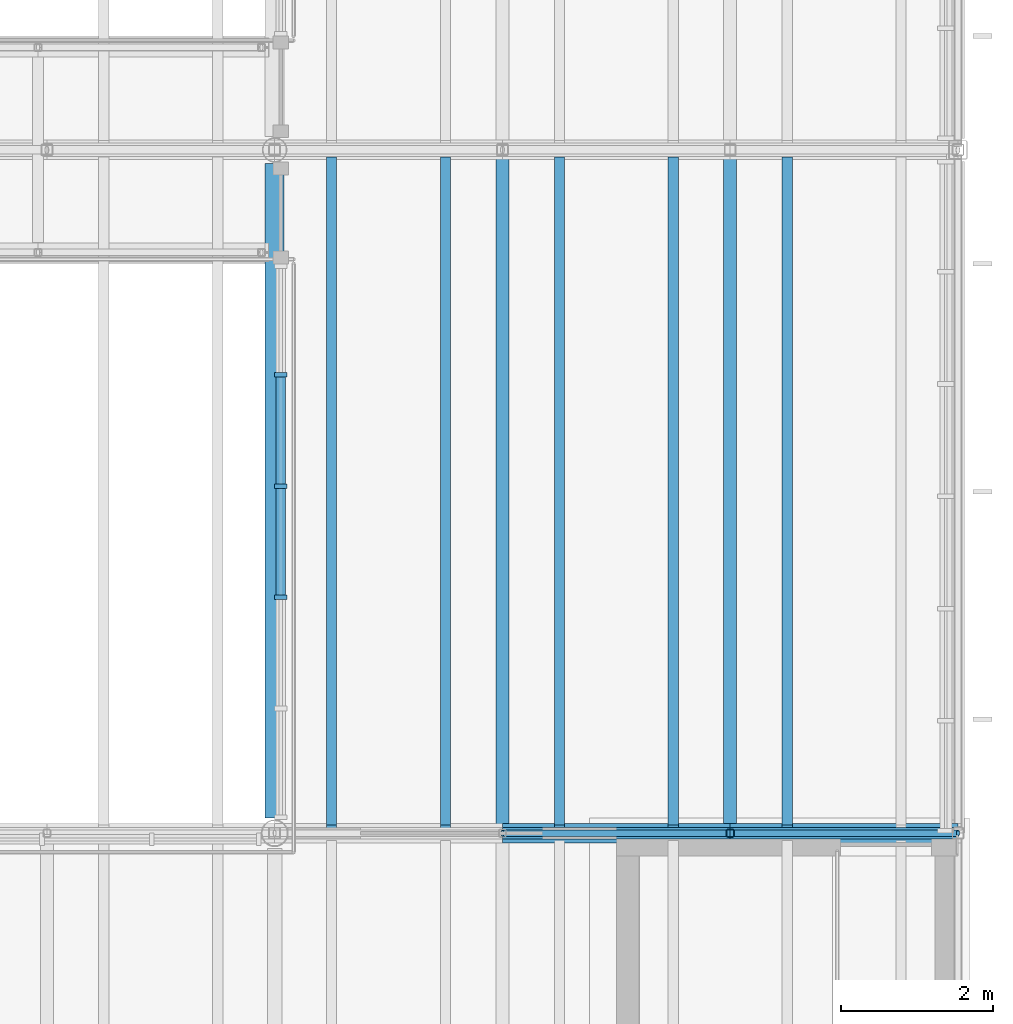
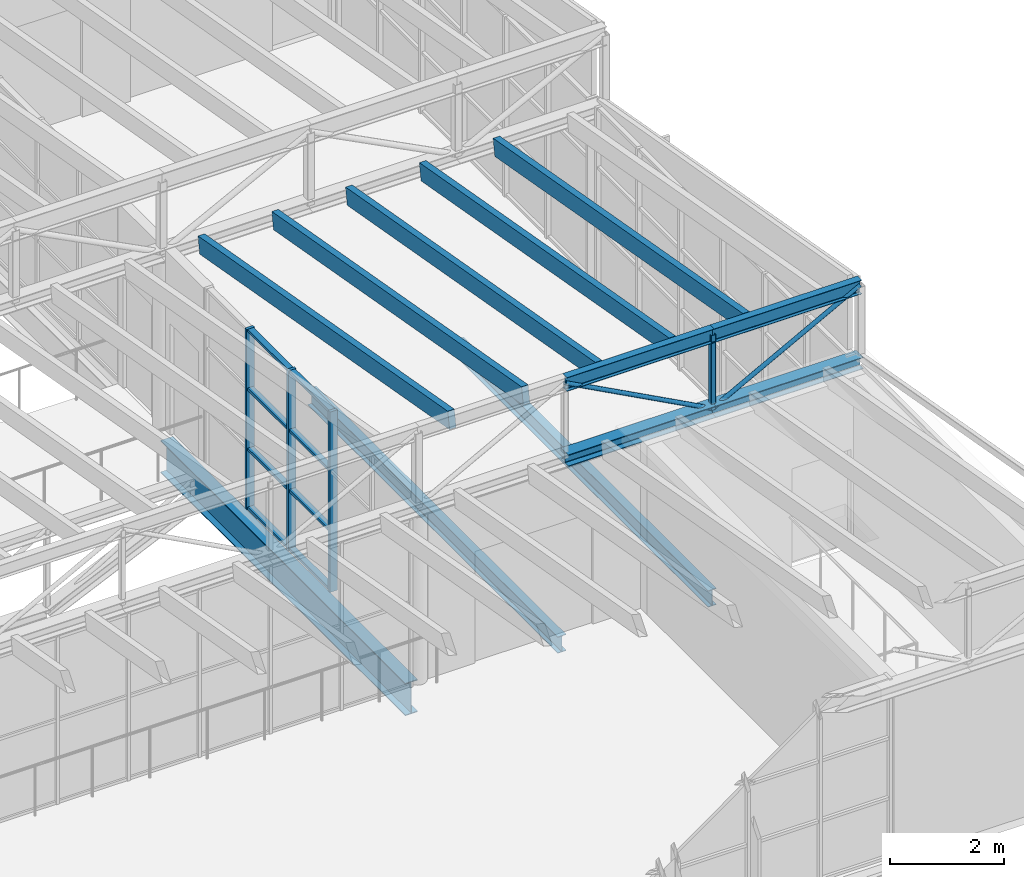
# One storey, part 20 of 44: 23 members, 3 beams, 1 element without a shape of its own.
"""IFC4 building model written with IfcOpenShell, lengths in metres."""

import ifcopenshell
import ifcopenshell.guid

model = None  # the IFC model being written
_history = None  # IfcOwnerHistory: only IFC2X3 demands one
_inside = {}  # id of a spatial element -> (the spatial element, [elements in it])
_under = {}  # id of a project, library or spatial element -> (it, [spatial elements below it])
_declared = {}  # id of a project -> (the project, [libraries it declares])
_typed = {}  # id of a type object -> (the type object, [elements of that type])
_made_of = {}  # id of a material, layer set ... -> (it, [elements and type objects made of it])


def new_model(schema):
    """Start an empty IFC model of exactly this schema.

    Asked for "IFC4X3", IfcOpenShell would pick the latest addendum, in which some entities
    have other attributes; the version numbers below select the first issue.
    IFC2X3 requires an IfcOwnerHistory on every rooted entity: one is made here for all.
    """
    global model, _history
    if schema == "IFC4X3":
        model = ifcopenshell.file(schema_version=(4, 3, 0, 0))
    else:
        model = ifcopenshell.file(schema=schema)
    _inside.clear()
    _under.clear()
    _declared.clear()
    _typed.clear()
    _made_of.clear()
    _history = None
    if model.schema == "IFC2X3":
        org = make("IfcOrganization", Name="unknown")
        user = make(
            "IfcPersonAndOrganization",
            ThePerson=make("IfcPerson", FamilyName="unknown"),
            TheOrganization=org,
        )
        app = make(
            "IfcApplication",
            ApplicationDeveloper=org,
            Version="unknown",
            ApplicationFullName="unknown",
            ApplicationIdentifier="unknown",
        )
        _history = make(
            "IfcOwnerHistory",
            OwningUser=user,
            OwningApplication=app,
            ChangeAction="ADDED",
            CreationDate=0,
        )
    return model


def make(cls, **values):
    """One entity of the class cls with the attributes given. An attribute that is None is left unset."""
    return model.create_entity(
        cls, **{name: value for name, value in values.items() if value is not None}
    )


def rooted(cls, **values):
    """An entity with a GlobalId (a new one), such as an element, a storey or a relation."""
    return make(cls, GlobalId=ifcopenshell.guid.new(), OwnerHistory=_history, **values)


def si_unit(unit_type, name, prefix=None):
    """IfcSIUnit, for example si_unit("LENGTHUNIT", "METRE", prefix="MILLI")."""
    return make("IfcSIUnit", UnitType=unit_type, Prefix=prefix, Name=name)


def assignment(units):
    """IfcUnitAssignment: the units of a project."""
    return None if units is None else make("IfcUnitAssignment", Units=units)


def point(xyz):
    """IfcCartesianPoint."""
    return None if xyz is None else make("IfcCartesianPoint", Coordinates=xyz)


def direction(xyz):
    """IfcDirection."""
    return None if xyz is None else make("IfcDirection", DirectionRatios=xyz)


def frame(location, z_axis=None, x_axis=None):
    """IfcAxis2Placement3D, a coordinate frame: its origin and axes. An axis left out is left unset."""
    return make(
        "IfcAxis2Placement3D",
        Location=point(location),
        Axis=direction(z_axis),
        RefDirection=direction(x_axis),
    )


def frame_2d(location, x_axis=None):
    """IfcAxis2Placement2D, a coordinate frame in the plane: its origin and x axis."""
    return make(
        "IfcAxis2Placement2D", Location=point(location), RefDirection=direction(x_axis)
    )


def origin():
    """The frame at (0, 0, 0) with its axes left unset."""
    return frame((0.0, 0.0, 0.0))


def origin_2d():
    """The frame at (0, 0) in the plane with its x axis left unset."""
    return frame_2d((0.0, 0.0))


def place(relative_to, where):
    """IfcLocalPlacement: puts the frame where relative to a parent placement (None: the world)."""
    return make(
        "IfcLocalPlacement", PlacementRelTo=relative_to, RelativePlacement=where
    )


def context(
    kind, dimensions, precision=None, world=None, true_north=None, identifier=None
):
    """IfcGeometricRepresentationContext, for example the 3D "Model" context."""
    return make(
        "IfcGeometricRepresentationContext",
        ContextIdentifier=identifier,
        ContextType=kind,
        CoordinateSpaceDimension=dimensions,
        Precision=precision,
        WorldCoordinateSystem=world,
        TrueNorth=true_north,
    )


def subcontext(parent, identifier, kind, view, scale=None):
    """IfcGeometricRepresentationSubContext, for example "Body" below "Model"."""
    return make(
        "IfcGeometricRepresentationSubContext",
        ContextIdentifier=identifier,
        ContextType=kind,
        ParentContext=parent,
        TargetScale=scale,
        TargetView=view,
    )


def project(units=None, contexts=None):
    """IfcProject with its units and contexts."""
    return rooted(
        "IfcProject",
        Name="project",
        RepresentationContexts=contexts,
        UnitsInContext=assignment(units),
    )


def spatial(cls, under=None, at=None, **own):
    """A site, building, storey or space (cls), placed at a placement, below another one or the project."""
    s = rooted(cls, ObjectPlacement=at, **own)
    if under is not None:
        _under.setdefault(under.id(), (under, []))[1].append(s)
    return s


def profile(cls, at=None, kind="AREA", **sizes):
    """A parametric profile (cls). Its sizes go by their IFC names, for example OverallWidth=200.0."""
    return make(cls, ProfileType=kind, Position=at, **sizes)


def rectangle(**sizes):
    """IfcRectangleProfileDef."""
    return profile("IfcRectangleProfileDef", **sizes)


def hollow_rectangle(**sizes):
    """IfcRectangleHollowProfileDef."""
    return profile("IfcRectangleHollowProfileDef", **sizes)


def hollow_circle(**sizes):
    """IfcCircleHollowProfileDef."""
    return profile("IfcCircleHollowProfileDef", **sizes)


def i_section(**sizes):
    """IfcIShapeProfileDef."""
    return profile("IfcIShapeProfileDef", **sizes)


def extrude(swept, where, along, depth):
    """IfcExtrudedAreaSolid: the profile swept, set in the frame where, extruded along a direction by depth."""
    return make(
        "IfcExtrudedAreaSolid",
        SweptArea=swept,
        Position=where,
        ExtrudedDirection=direction(along),
        Depth=depth,
    )


def shape(context_of_items, identifier, shape_type, items):
    """IfcShapeRepresentation: the items that make up one representation, for example the "Body"."""
    return make(
        "IfcShapeRepresentation",
        ContextOfItems=context_of_items,
        RepresentationIdentifier=identifier,
        RepresentationType=shape_type,
        Items=items,
    )


def material(Name=None, Category=None):
    """IfcMaterial."""
    return make("IfcMaterial", Name=Name, Category=Category)


def layer(
    of_material, thickness, ventilated=None, Name=None, Category=None, Priority=None
):
    """IfcMaterialLayer: one layer of a wall or slab, of a material (None: an air gap)."""
    return make(
        "IfcMaterialLayer",
        Material=of_material,
        LayerThickness=thickness,
        IsVentilated=ventilated,
        Name=Name,
        Category=Category,
        Priority=Priority,
    )


def layer_set(layers, Name=None):
    """IfcMaterialLayerSet."""
    return make("IfcMaterialLayerSet", MaterialLayers=layers, LayerSetName=Name)


def material_profile(
    of_material, cross_section, Name=None, Category=None, Priority=None
):
    """IfcMaterialProfile: a cross section and its material."""
    return make(
        "IfcMaterialProfile",
        Name=Name,
        Material=of_material,
        Profile=cross_section,
        Priority=Priority,
        Category=Category,
    )


def profile_set(profiles, Name=None, composite=None):
    """IfcMaterialProfileSet."""
    return make(
        "IfcMaterialProfileSet",
        Name=Name,
        MaterialProfiles=profiles,
        CompositeProfile=composite,
    )


def made_of(thing, what):
    """Note that an element or type object is made of a material, layer set ...; save() writes the relation."""
    if what is not None:
        _made_of.setdefault(what.id(), (what, []))[1].append(thing)
    return thing


def type_object(cls, material=None, **own):
    """A type object (cls), such as IfcWallType, which elements share."""
    return made_of(rooted(cls, **own), material)


def element(
    cls,
    number,
    at=None,
    inside=None,
    cuts=None,
    type_object=None,
    material=None,
    context=None,
    identifier="Body",
    shape_type=None,
    held_by="IfcProductDefinitionShape",
    body=None,
    shapes=None,
    **own,
):
    """One element of the class cls, such as IfcWall. Its Tag is "e" and its number.

    at: its placement. inside: the storey or other place that contains it. cuts: it is an
    opening in that element (IfcRelVoidsElement). A single representation is given by context,
    identifier, shape_type and body (its items); several are given by shapes. held_by: the class
    of the entity that holds the representations. save() writes the other relations.
    """
    e = rooted(cls, Tag="e%d" % number, ObjectPlacement=at, **own)
    if body is not None:
        shapes = [shape(context, identifier, shape_type, body)]
    if shapes is not None:
        e.Representation = make(held_by, Representations=shapes)
    if inside is not None:
        _inside.setdefault(inside.id(), (inside, []))[1].append(e)
    if cuts is not None:
        rooted(
            "IfcRelVoidsElement", RelatingBuildingElement=cuts, RelatedOpeningElement=e
        )
    if type_object is not None:
        _typed.setdefault(type_object.id(), (type_object, []))[1].append(e)
    return made_of(e, material)


def aggregate(whole, parts):
    """IfcRelAggregates: a whole, such as a stair, and the parts it consists of."""
    return rooted("IfcRelAggregates", RelatingObject=whole, RelatedObjects=parts)


def save(model, path):
    """Write the relations noted so far, then the file.

    IfcRelAggregates (storeys below a building ...), IfcRelContainedInSpatialStructure (elements
    in a storey), IfcRelDefinesByType, IfcRelAssociatesMaterial and IfcRelDeclares: one each for
    every whole, place, type object, material and project.
    """
    for whole, parts in _under.values():
        aggregate(whole, parts)
    for where, things in _inside.values():
        rooted(
            "IfcRelContainedInSpatialStructure",
            RelatedElements=things,
            RelatingStructure=where,
        )
    for kind, things in _typed.values():
        rooted("IfcRelDefinesByType", RelatedObjects=things, RelatingType=kind)
    for what, things in _made_of.values():
        rooted("IfcRelAssociatesMaterial", RelatedObjects=things, RelatingMaterial=what)
    for by, libraries in _declared.values():
        rooted("IfcRelDeclares", RelatingContext=by, RelatedDefinitions=libraries)
    model.write(path)


model = new_model("IFC4")

# Units and contexts
model_context = context("Model", 3, precision=1e-05, world=origin(), true_north=direction((0.0, 1.0)))
body_context = subcontext(model_context, "Body", "Model", "MODEL_VIEW")
ifc_project = project(units=[si_unit("LENGTHUNIT", "METRE"), si_unit("AREAUNIT", "SQUARE_METRE"), si_unit("VOLUMEUNIT", "CUBIC_METRE"), si_unit("PLANEANGLEUNIT", "RADIAN"), si_unit("MASSUNIT", "GRAM", prefix="KILO")], contexts=[model_context])

# Site, building, storey
site_placement = place(None, origin())
site = spatial("IfcSite", under=ifc_project, at=site_placement, CompositionType="ELEMENT")
building_placement = place(site_placement, origin())
building = spatial("IfcBuilding", under=site, at=building_placement, Name="Halyard Row Museum", CompositionType="ELEMENT")
storey_placement = place(building_placement, frame((0.0, 0.0, 21.199951171875)))
storey = spatial("IfcBuildingStorey", under=building, at=storey_placement, Name="L04", CompositionType="ELEMENT", Elevation=21.199951171875)

# Beam
ifc_material_1 = material(Name="Steel Grade 300", Category="steel")
ifc_material_profile_1 = material_profile(ifc_material_1, i_section(OverallWidth=0.25, OverallDepth=0.699951171875, WebThickness=0.010009765625, FlangeThickness=0.02001953125, at=origin_2d()), Name="700WB130")
ifc_profile_set_1 = profile_set([ifc_material_profile_1], Name="Steel Grade 300")
beam_type_1 = type_object("IfcBeamType", Name="Bearing beam 700WB130", PredefinedType="BEAM", material=ifc_profile_set_1)
beam_1_placement = place(storey_placement, frame((99.0, 9.203125, -0.514892578125), z_axis=(0.0, 1.0, 0.0), x_axis=(-1.0, 0.0, 0.0)))
element("IfcBeam", 1, at=beam_1_placement, inside=storey, type_object=beam_type_1, Name="Beam L04-028", PredefinedType="BEAM", context=body_context, shape_type="SweptSolid", body=[
    extrude(i_section(OverallWidth=0.25, OverallDepth=0.699951171875, WebThickness=0.010009765625, FlangeThickness=0.02001953125, at=origin_2d()), origin(), (0.0, 0.0, 1.0), 8.619140625),
])

# Curtain wall, members
ifc_material_2 = material(Name="Fire-resisting laminated glazing", Category="glass")
ifc_layer = layer(ifc_material_2, 0.159912109375)
ifc_layer_set = layer_set([ifc_layer], Name="Fire-resisting laminated glazing")
curtain_wall_type = type_object("IfcCurtainWallType", Name="Curtain wall atrium screen 160 deep", PredefinedType="NOTDEFINED", material=ifc_layer_set)
curtain_wall_placement = place(storey_placement, origin())
curtain_wall = element("IfcCurtainWall", 2, at=curtain_wall_placement, inside=storey, type_object=curtain_wall_type, Name="Curtain wall CW104", PredefinedType="NOTDEFINED")
ifc_material_3 = material(Name="Powder-coated aluminium section", Category="aluminium")
ifc_material_profile_2 = material_profile(ifc_material_3, rectangle(XDim=0.159912109375, YDim=0.06005859375, at=origin_2d()), Name="160x60 mullion")
ifc_profile_set_2 = profile_set([ifc_material_profile_2], Name="Powder-coated aluminium section")
member_type_1 = type_object("IfcMemberType", Name="Curtain wall mullion CM5 60 x 160", PredefinedType="MULLION", material=ifc_profile_set_2)
member_1_placement = place(storey_placement, frame((99.080078125, 12.106689453125, 0.0), z_axis=(0.0, 0.0, 1.0), x_axis=(-1.0, 0.0, 0.0)))
member_1 = element("IfcMember", 3, at=member_1_placement, type_object=member_type_1, Name="CW104 mullion 3", PredefinedType="MULLION", context=body_context, shape_type="SweptSolid", body=[
    extrude(rectangle(XDim=0.159912109375, YDim=0.06005859375, at=origin_2d()), origin(), (0.0, 0.0, 1.0), 3.878173828125),
])
member_2_placement = place(storey_placement, frame((99.080078125, 13.571044921875, 0.0), z_axis=(0.0, 0.0, 1.0), x_axis=(-1.0, 0.0, 0.0)))
member_2 = element("IfcMember", 4, at=member_2_placement, type_object=member_type_1, Name="CW104 mullion 4", PredefinedType="MULLION", context=body_context, shape_type="SweptSolid", body=[
    extrude(rectangle(XDim=0.159912109375, YDim=0.06005859375, at=origin_2d()), origin(), (0.0, 0.0, 1.0), 3.878173828125),
])
member_3_placement = place(storey_placement, frame((99.080078125, 15.03564453125, 0.0), z_axis=(0.0, 0.0, 1.0), x_axis=(-1.0, 0.0, 0.0)))
member_3 = element("IfcMember", 5, at=member_3_placement, type_object=member_type_1, Name="CW104 mullion 5", PredefinedType="MULLION", context=body_context, shape_type="SweptSolid", body=[
    extrude(rectangle(XDim=0.159912109375, YDim=0.06005859375, at=origin_2d()), origin(), (0.0, 0.0, 1.0), 3.878173828125),
])
ifc_material_4 = material(Name="Powder-coated aluminium section", Category="aluminium")
ifc_material_profile_3 = material_profile(ifc_material_4, rectangle(XDim=0.1201171875, YDim=0.06005859375, at=origin_2d()), Name="120x60 transom")
ifc_profile_set_3 = profile_set([ifc_material_profile_3], Name="Powder-coated aluminium section")
member_type_2 = type_object("IfcMemberType", Name="Curtain wall transom CT5 60 x 120", PredefinedType="USERDEFINED", material=ifc_profile_set_3)
member_4_placement = place(storey_placement, frame((99.080078125, 12.13671875, 0.030029296875), z_axis=(0.0, 1.0, 0.0), x_axis=(-1.0, 0.0, 0.0)))
member_4 = element("IfcMember", 6, at=member_4_placement, type_object=member_type_2, Name="CW104 transom 3.1", ObjectType="TRANSOM", PredefinedType="USERDEFINED", context=body_context, shape_type="SweptSolid", body=[
    extrude(rectangle(XDim=0.1201171875, YDim=0.06005859375, at=origin_2d()), origin(), (0.0, 0.0, 1.0), 1.404296875),
])
member_5_placement = place(storey_placement, frame((99.080078125, 12.13671875, 1.292724609375), z_axis=(0.0, 1.0, 0.0), x_axis=(-1.0, 0.0, 0.0)))
member_5 = element("IfcMember", 7, at=member_5_placement, type_object=member_type_2, Name="CW104 transom 3.2", ObjectType="TRANSOM", PredefinedType="USERDEFINED", context=body_context, shape_type="SweptSolid", body=[
    extrude(rectangle(XDim=0.1201171875, YDim=0.06005859375, at=origin_2d()), origin(), (0.0, 0.0, 1.0), 1.404296875),
])
member_6_placement = place(storey_placement, frame((99.080078125, 12.13671875, 2.58544921875), z_axis=(0.0, 1.0, 0.0), x_axis=(-1.0, 0.0, 0.0)))
member_6 = element("IfcMember", 8, at=member_6_placement, type_object=member_type_2, Name="CW104 transom 3.3", ObjectType="TRANSOM", PredefinedType="USERDEFINED", context=body_context, shape_type="SweptSolid", body=[
    extrude(rectangle(XDim=0.1201171875, YDim=0.06005859375, at=origin_2d()), origin(), (0.0, 0.0, 1.0), 1.404296875),
])
member_7_placement = place(storey_placement, frame((99.080078125, 12.13671875, 3.84814453125), z_axis=(0.0, 1.0, 0.0), x_axis=(-1.0, 0.0, 0.0)))
member_7 = element("IfcMember", 9, at=member_7_placement, type_object=member_type_2, Name="CW104 transom 3.4", ObjectType="TRANSOM", PredefinedType="USERDEFINED", context=body_context, shape_type="SweptSolid", body=[
    extrude(rectangle(XDim=0.1201171875, YDim=0.06005859375, at=origin_2d()), origin(), (0.0, 0.0, 1.0), 1.404296875),
])
member_8_placement = place(storey_placement, frame((99.080078125, 13.60107421875, 0.030029296875), z_axis=(0.0, 1.0, 0.0), x_axis=(-1.0, 0.0, 0.0)))
member_8 = element("IfcMember", 10, at=member_8_placement, type_object=member_type_2, Name="CW104 transom 4.1", ObjectType="TRANSOM", PredefinedType="USERDEFINED", context=body_context, shape_type="SweptSolid", body=[
    extrude(rectangle(XDim=0.1201171875, YDim=0.06005859375, at=origin_2d()), origin(), (0.0, 0.0, 1.0), 1.404541015625),
])
member_9_placement = place(storey_placement, frame((99.080078125, 13.60107421875, 1.292724609375), z_axis=(0.0, 1.0, 0.0), x_axis=(-1.0, 0.0, 0.0)))
member_9 = element("IfcMember", 11, at=member_9_placement, type_object=member_type_2, Name="CW104 transom 4.2", ObjectType="TRANSOM", PredefinedType="USERDEFINED", context=body_context, shape_type="SweptSolid", body=[
    extrude(rectangle(XDim=0.1201171875, YDim=0.06005859375, at=origin_2d()), origin(), (0.0, 0.0, 1.0), 1.404541015625),
])
member_10_placement = place(storey_placement, frame((99.080078125, 13.60107421875, 2.58544921875), z_axis=(0.0, 1.0, 0.0), x_axis=(-1.0, 0.0, 0.0)))
member_10 = element("IfcMember", 12, at=member_10_placement, type_object=member_type_2, Name="CW104 transom 4.3", ObjectType="TRANSOM", PredefinedType="USERDEFINED", context=body_context, shape_type="SweptSolid", body=[
    extrude(rectangle(XDim=0.1201171875, YDim=0.06005859375, at=origin_2d()), origin(), (0.0, 0.0, 1.0), 1.404541015625),
])
member_11_placement = place(storey_placement, frame((99.080078125, 13.60107421875, 3.84814453125), z_axis=(0.0, 1.0, 0.0), x_axis=(-1.0, 0.0, 0.0)))
member_11 = element("IfcMember", 13, at=member_11_placement, type_object=member_type_2, Name="CW104 transom 4.4", ObjectType="TRANSOM", PredefinedType="USERDEFINED", context=body_context, shape_type="SweptSolid", body=[
    extrude(rectangle(XDim=0.1201171875, YDim=0.06005859375, at=origin_2d()), origin(), (0.0, 0.0, 1.0), 1.404541015625),
])
aggregate(curtain_wall, [member_1, member_2, member_3, member_4, member_5, member_6, member_7, member_8, member_9, member_10, member_11])

# Members
ifc_material_5 = material(Name="Glulam GL12 radiata pine", Category="wood")
ifc_material_profile_4 = material_profile(ifc_material_5, rectangle(XDim=0.135009765625, YDim=0.360107421875, at=origin_2d()), Name="GL12 135x360")
ifc_profile_set_4 = profile_set([ifc_material_profile_4], Name="Glulam GL12 radiata pine")
member_type_3 = type_object("IfcMemberType", Name="Rafter GL12 135x360", PredefinedType="RAFTER", material=ifc_profile_set_4)
for number, where, z_axis, x_axis, name in (
    (14, (99.75, 9.074462890625, 5.283935546875), (0.0, 0.984563554103, -0.17502744908), (-1.0, 0.0, 0.0), "Rafter V2-T2c.1"),
    (15, (101.25, 9.074462890625, 5.283935546875), (0.0, 0.984563554103, -0.17502744908), (-1.0, 0.0, 0.0), "Rafter V2-T2c.2"),
    (16, (102.75, 9.074462890625, 5.283935546875), (0.0, 0.984563554103, -0.17502744908), (-1.0, 0.0, 0.0), "Rafter V2-T2c.3"),
    (17, (104.25, 9.074462890625, 5.283935546875), (0.0, 0.984563554103, -0.17502744908), (-1.0, 0.0, 0.0), "Rafter V2-T2c.4"),
    (18, (105.75, 9.074462890625, 5.283935546875), (0.0, 0.984563554103, -0.17502744908), (-1.0, 0.0, 0.0), "Rafter V2-T2c.5"),
):
    element("IfcMember", number, at=place(storey_placement, frame(where, z_axis=z_axis, x_axis=x_axis)), inside=storey, type_object=member_type_3, Name=name, PredefinedType="RAFTER", context=body_context, shape_type="SweptSolid", body=[
        extrude(rectangle(XDim=0.135009765625, YDim=0.360107421875, at=origin_2d()), origin(), (0.0, 0.0, 1.0), 8.935546875),
    ])

# Beams
ifc_material_6 = material(Name="Steel Grade 300", Category="steel")
ifc_material_profile_5 = material_profile(ifc_material_6, i_section(OverallWidth=0.1708984375, OverallDepth=0.355712890625, WebThickness=0.00732421875, FlangeThickness=0.011474609375, FilletRadius=0.011474609375, at=origin_2d()), Name="360UB50.7")
ifc_profile_set_5 = profile_set([ifc_material_profile_5], Name="Steel Grade 300")
beam_type_2 = type_object("IfcBeamType", Name="Secondary beam 360UB50.7", PredefinedType="BEAM", material=ifc_profile_set_5)
beam_2_placement = place(storey_placement, frame((105.0, 9.0, -0.3427734375), z_axis=(0.0, 1.0, 0.0), x_axis=(-1.0, 0.0, 0.0)))
element("IfcBeam", 19, at=beam_2_placement, inside=storey, type_object=beam_type_2, Name="Beam L04-040", PredefinedType="BEAM", context=body_context, shape_type="SweptSolid", body=[
    extrude(i_section(OverallWidth=0.1708984375, OverallDepth=0.355712890625, WebThickness=0.00732421875, FlangeThickness=0.011474609375, FilletRadius=0.011474609375, at=origin_2d()), origin(), (0.0, 0.0, 1.0), 8.904541015625),
])
beam_3_placement = place(storey_placement, frame((102.0, 9.095458984375, -0.3427734375), z_axis=(0.0, 1.0, 0.0), x_axis=(-1.0, 0.0, 0.0)))
element("IfcBeam", 20, at=beam_3_placement, inside=storey, type_object=beam_type_2, Name="Beam L04-042", PredefinedType="BEAM", context=body_context, shape_type="SweptSolid", body=[
    extrude(i_section(OverallWidth=0.1708984375, OverallDepth=0.355712890625, WebThickness=0.00732421875, FlangeThickness=0.011474609375, FilletRadius=0.011474609375, at=origin_2d()), origin(), (0.0, 0.0, 1.0), 8.80908203125),
])

# Members
ifc_material_7 = material(Name="Steel Grade 300", Category="steel")
ifc_material_profile_6 = material_profile(ifc_material_7, i_section(OverallWidth=0.25390625, OverallDepth=0.25390625, WebThickness=0.008544921875, FlangeThickness=0.01416015625, FilletRadius=0.013916015625, at=origin_2d()), Name="250UC72.9")
ifc_profile_set_6 = profile_set([ifc_material_profile_6], Name="Steel Grade 300")
member_type_4 = type_object("IfcMemberType", Name="Valley truss bottom chord 250UC72.9", PredefinedType="CHORD", material=ifc_profile_set_6)
for number, where, z_axis, x_axis, name in (
    (21, (102.0, 9.0, 3.72705078125), (1.0, 0.0, 0.0), (0.0, 1.0, 0.0), "V2-VT2 bottom chord 4.2"),
    (22, (105.0, 9.0, 3.72705078125), (1.0, 0.0, 0.0), (0.0, 1.0, 0.0), "V2-VT2 bottom chord 4.3"),
):
    element("IfcMember", number, at=place(storey_placement, frame(where, z_axis=z_axis, x_axis=x_axis)), inside=storey, type_object=member_type_4, Name=name, PredefinedType="CHORD", context=body_context, shape_type="SweptSolid", body=[
        extrude(i_section(OverallWidth=0.25390625, OverallDepth=0.25390625, WebThickness=0.008544921875, FlangeThickness=0.01416015625, FilletRadius=0.013916015625, at=origin_2d()), origin(), (0.0, 0.0, 1.0), 3.0),
    ])
ifc_material_8 = material(Name="Steel Grade C250L0", Category="steel")
ifc_material_profile_7 = material_profile(ifc_material_8, hollow_circle(Radius=0.04443359375, WallThickness=0.0048828125, at=origin_2d()), Name="88.9x5.0CHS")
ifc_profile_set_7 = profile_set([ifc_material_profile_7], Name="Steel Grade C250L0")
member_type_5 = type_object("IfcMemberType", Name="Valley truss diagonal 88.9x5.0CHS", PredefinedType="BRACE", material=ifc_profile_set_7)
for number, where, z_axis, x_axis, name in (
    (23, (102.0, 9.0, 5.3310546875), (0.881863759518, 0.0, -0.471504305016), (0.0, 1.0, 0.0), "V2-VT2 diagonal 4.2"),
    (24, (105.0, 9.0, 3.72705078125), (0.881863759518, 0.0, 0.471504305016), (0.0, 1.0, 0.0), "V2-VT2 diagonal 4.3"),
):
    element("IfcMember", number, at=place(storey_placement, frame(where, z_axis=z_axis, x_axis=x_axis)), inside=storey, type_object=member_type_5, Name=name, PredefinedType="BRACE", context=body_context, shape_type="SweptSolid", body=[
        extrude(hollow_circle(Radius=0.04443359375, WallThickness=0.0048828125, at=origin_2d()), origin(), (0.0, 0.0, 1.0), 3.40185546875),
    ])
ifc_material_9 = material(Name="Steel Grade C350L0", Category="steel")
ifc_material_profile_8 = material_profile(ifc_material_9, hollow_rectangle(XDim=0.10009765625, YDim=0.10009765625, WallThickness=0.006103515625, InnerFilletRadius=0.009033203125, OuterFilletRadius=0.014892578125, at=origin_2d()), Name="100x100x6.0SHS")
ifc_profile_set_8 = profile_set([ifc_material_profile_8], Name="Steel Grade C350L0")
member_type_6 = type_object("IfcMemberType", Name="Valley truss post 100x100x6.0SHS", PredefinedType="POST", material=ifc_profile_set_8)
member_12_placement = place(storey_placement, frame((105.0, 9.0, 3.72705078125), z_axis=(0.0, 0.0, 1.0), x_axis=(1.0, 0.0, 0.0)))
element("IfcMember", 25, at=member_12_placement, inside=storey, type_object=member_type_6, Name="V2-VT2 post 4.2", PredefinedType="POST", context=body_context, shape_type="SweptSolid", body=[
    extrude(hollow_rectangle(XDim=0.10009765625, YDim=0.10009765625, WallThickness=0.006103515625, InnerFilletRadius=0.009033203125, OuterFilletRadius=0.014892578125, at=origin_2d()), origin(), (0.0, 0.0, 1.0), 1.60400390625),
])
ifc_material_10 = material(Name="Steel Grade 300", Category="steel")
ifc_material_profile_9 = material_profile(ifc_material_10, i_section(OverallWidth=0.14892578125, OverallDepth=0.298095703125, WebThickness=0.005615234375, FlangeThickness=0.008056640625, FilletRadius=0.012939453125, at=origin_2d()), Name="310UB32.0")
ifc_profile_set_9 = profile_set([ifc_material_profile_9], Name="Steel Grade 300")
member_type_7 = type_object("IfcMemberType", Name="Valley truss top chord 310UB32.0", PredefinedType="CHORD", material=ifc_profile_set_9)
for number, where, z_axis, x_axis, name in (
    (26, (102.0, 9.0, 5.3310546875), (1.0, 0.0, 0.0), (0.0, 1.0, 0.0), "V2-VT2 top chord 4.2"),
    (27, (105.0, 9.0, 5.3310546875), (1.0, 0.0, 0.0), (0.0, 1.0, 0.0), "V2-VT2 top chord 4.3"),
):
    element("IfcMember", number, at=place(storey_placement, frame(where, z_axis=z_axis, x_axis=x_axis)), inside=storey, type_object=member_type_7, Name=name, PredefinedType="CHORD", context=body_context, shape_type="SweptSolid", body=[
        extrude(i_section(OverallWidth=0.14892578125, OverallDepth=0.298095703125, WebThickness=0.005615234375, FlangeThickness=0.008056640625, FilletRadius=0.012939453125, at=origin_2d()), origin(), (0.0, 0.0, 1.0), 3.0),
    ])

save(model, "model.ifc")
